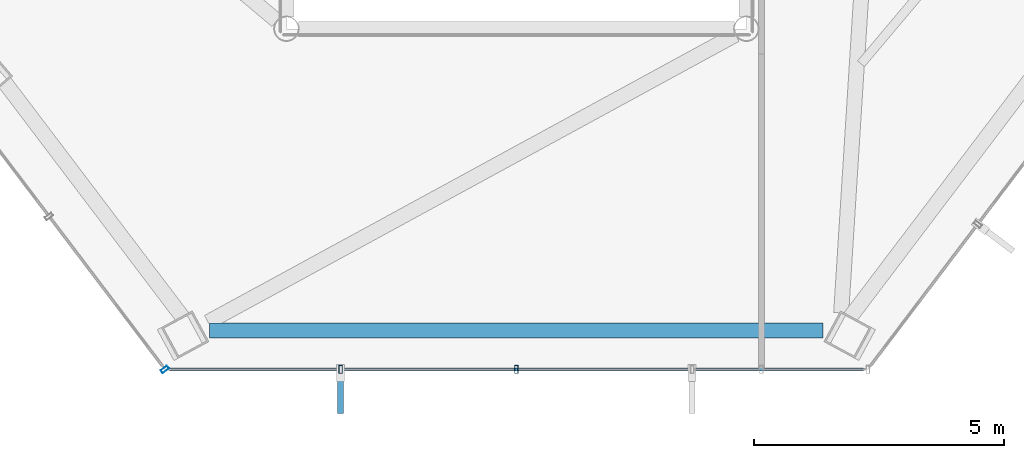
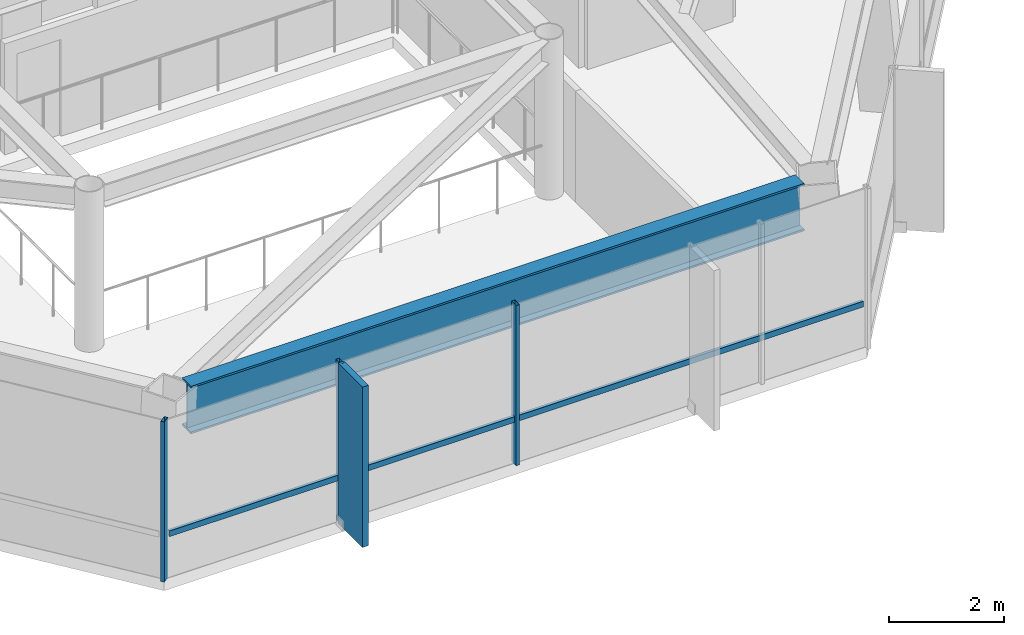
# One storey, part 5 of 28: 5 members, 1 beam, 2 elements without a shape of their own.
"""IFC4 building model written with IfcOpenShell, lengths in metres."""

from ifc_helpers import new_model, si_unit, direction, frame, origin, origin_2d, place, context, subcontext, project, spatial, rectangle, hollow_rectangle, i_section, extrude, material, layer, layer_set, material_profile, profile_set, type_object, element, aggregate, save


model = new_model("IFC4")

# Units and contexts
model_context = context("Model", 3, precision=1e-05, world=origin(), true_north=direction((0.0, 1.0)))
body_context = subcontext(model_context, "Body", "Model", "MODEL_VIEW")
ifc_project = project(units=[si_unit("LENGTHUNIT", "METRE"), si_unit("AREAUNIT", "SQUARE_METRE"), si_unit("VOLUMEUNIT", "CUBIC_METRE"), si_unit("PLANEANGLEUNIT", "RADIAN"), si_unit("MASSUNIT", "GRAM", prefix="KILO")], contexts=[model_context])

# Site, building, storey
site_placement = place(None, origin())
site = spatial("IfcSite", under=ifc_project, at=site_placement, CompositionType="ELEMENT")
building_placement = place(site_placement, origin())
building = spatial("IfcBuilding", under=site, at=building_placement, Name="Zarrinselat Tower", CompositionType="ELEMENT")
storey_placement = place(building_placement, frame((0.0, 0.0, 190.739990234375)))
storey = spatial("IfcBuildingStorey", under=building, at=storey_placement, Name="L47", CompositionType="ELEMENT", Elevation=190.739990234375)

# Beam
ifc_material_1 = material(Name="Steel S460M", Category="steel")
ifc_material_profile_1 = material_profile(ifc_material_1, i_section(OverallWidth=0.302001953125, OverallDepth=1.008056640625, WebThickness=0.02099609375, FlangeThickness=0.0400390625, at=origin_2d()), Name="HEM 1000")
ifc_profile_set_1 = profile_set([ifc_material_profile_1], Name="Steel S460M")
beam_type = type_object("IfcBeamType", Name="BM-HEM1000", PredefinedType="BEAM", material=ifc_profile_set_1)
beam_placement = place(storey_placement, frame((32.2646484375, 18.36572265625, 2.885986328125), z_axis=(1.0, 0.0, 0.0), x_axis=(0.0, 1.0, 0.0)))
element("IfcBeam", 1, at=beam_placement, inside=storey, type_object=beam_type, Name="L47 Perimeter Spandrel Girder SP10", PredefinedType="BEAM", context=body_context, shape_type="SweptSolid", body=[
    extrude(i_section(OverallWidth=0.302001953125, OverallDepth=1.008056640625, WebThickness=0.02099609375, FlangeThickness=0.0400390625, at=origin_2d()), origin(), (0.0, 0.0, 1.0), 12.270751953125),
])

# Curtain wall, member
ifc_material_2 = material(Name="Extruded Aluminium Alloy EN AW-6063 T6", Category="aluminium")
ifc_layer = layer(ifc_material_2, 0.175048828125)
ifc_layer_set = layer_set([ifc_layer], Name="Extruded Aluminium Alloy EN AW-6063 T6")
curtain_wall_type = type_object("IfcCurtainWallType", Name="CWS-HTL", PredefinedType="NOTDEFINED", material=ifc_layer_set)
curtain_wall_1_placement = place(storey_placement, origin())
curtain_wall_1 = element("IfcCurtainWall", 2, at=curtain_wall_1_placement, inside=storey, type_object=curtain_wall_type, Name="L47 Unitised Curtain Wall CW-L47-E03", PredefinedType="NOTDEFINED")
ifc_material_3 = material(Name="Extruded Aluminium Alloy EN AW-6063 T6", Category="aluminium")
ifc_material_profile_2 = material_profile(ifc_material_3, hollow_rectangle(XDim=0.070068359375, YDim=0.159912109375, WallThickness=0.00390625, at=origin_2d()), Name="RHS 160x70x4")
ifc_profile_set_2 = profile_set([ifc_material_profile_2], Name="Extruded Aluminium Alloy EN AW-6063 T6")
member_type_1 = type_object("IfcMemberType", Name="MEM-CW-MUL2", PredefinedType="MULLION", material=ifc_profile_set_2)
member_1_placement = place(storey_placement, frame((31.369384765625, 17.58935546875, 0.0), z_axis=(0.0, 0.0, 1.0), x_axis=(0.603857114659, -0.7970925825, 0.0)))
member_1 = element("IfcMember", 3, at=member_1_placement, type_object=member_type_1, Name="CW-L47-E03 Mullion 7", PredefinedType="MULLION", context=body_context, shape_type="SweptSolid", body=[
    extrude(hollow_rectangle(XDim=0.070068359375, YDim=0.159912109375, WallThickness=0.00390625, at=origin_2d()), origin(), (0.0, 0.0, 1.0), 3.389892578125),
])
aggregate(curtain_wall_1, [member_1])

# Curtain wall, members
curtain_wall_2_placement = place(storey_placement, origin())
curtain_wall_2 = element("IfcCurtainWall", 4, at=curtain_wall_2_placement, inside=storey, type_object=curtain_wall_type, Name="L47 Unitised Curtain Wall CW-L47-E04", PredefinedType="NOTDEFINED")
member_2_placement = place(storey_placement, frame((34.884765625, 17.58935546875, 0.0), z_axis=(0.0, 0.0, 1.0), x_axis=(1.0, 0.0, 0.0)))
member_2 = element("IfcMember", 5, at=member_2_placement, type_object=member_type_1, Name="CW-L47-E04 Mullion 1", PredefinedType="MULLION", context=body_context, shape_type="SweptSolid", body=[
    extrude(hollow_rectangle(XDim=0.070068359375, YDim=0.159912109375, WallThickness=0.00390625, at=origin_2d()), origin(), (0.0, 0.0, 1.0), 3.389892578125),
])
member_3_placement = place(storey_placement, frame((38.39990234375, 17.58935546875, 0.0), z_axis=(0.0, 0.0, 1.0), x_axis=(1.0, 0.0, 0.0)))
member_3 = element("IfcMember", 6, at=member_3_placement, type_object=member_type_1, Name="CW-L47-E04 Mullion 2", PredefinedType="MULLION", context=body_context, shape_type="SweptSolid", body=[
    extrude(hollow_rectangle(XDim=0.070068359375, YDim=0.159912109375, WallThickness=0.00390625, at=origin_2d()), origin(), (0.0, 0.0, 1.0), 3.389892578125),
])
ifc_material_4 = material(Name="Extruded Aluminium Alloy EN AW-6063 T6", Category="aluminium")
ifc_material_profile_3 = material_profile(ifc_material_4, hollow_rectangle(XDim=0.06005859375, YDim=0.1201171875, WallThickness=0.00390625, at=origin_2d()), Name="RHS 120x60x4")
ifc_profile_set_3 = profile_set([ifc_material_profile_3], Name="Extruded Aluminium Alloy EN AW-6063 T6")
member_type_2 = type_object("IfcMemberType", Name="MEM-CW-TRN2", PredefinedType="USERDEFINED", material=ifc_profile_set_3)
member_4_placement = place(storey_placement, frame((31.45947265625, 17.58935546875, 0.949951171875), z_axis=(1.0, 0.0, 0.0), x_axis=(0.0, 1.0, 0.0)))
member_4 = element("IfcMember", 7, at=member_4_placement, type_object=member_type_2, Name="CW-L47-E04 Transom 1", ObjectType="TRANSOM", PredefinedType="USERDEFINED", context=body_context, shape_type="SweptSolid", body=[
    extrude(hollow_rectangle(XDim=0.06005859375, YDim=0.1201171875, WallThickness=0.00390625, at=origin_2d()), origin(), (0.0, 0.0, 1.0), 13.881103515625),
])
ifc_material_5 = material(Name="Honed Cream Travertine Stone", Category="masonry")
ifc_material_profile_4 = material_profile(ifc_material_5, rectangle(XDim=0.1201171875, YDim=0.85009765625, at=origin_2d()), Name="FIN 850x120")
ifc_profile_set_4 = profile_set([ifc_material_profile_4], Name="Honed Cream Travertine Stone")
member_type_3 = type_object("IfcMemberType", Name="MEM-STONE-FIN", PredefinedType="USERDEFINED", material=ifc_profile_set_4)
member_5_placement = place(storey_placement, frame((34.884765625, 17.12939453125, 0.0), z_axis=(0.0, 0.0, 1.0), x_axis=(-1.0, 0.0, 0.0)))
member_5 = element("IfcMember", 8, at=member_5_placement, type_object=member_type_3, Name="L47 Stone Shading Fin CW-L47-E04-01", ObjectType="FIN", PredefinedType="USERDEFINED", context=body_context, shape_type="SweptSolid", body=[
    extrude(rectangle(XDim=0.1201171875, YDim=0.85009765625, at=origin_2d()), origin(), (0.0, 0.0, 1.0), 3.389892578125),
])
aggregate(curtain_wall_2, [member_2, member_5, member_3, member_4])

save(model, "model.ifc")
